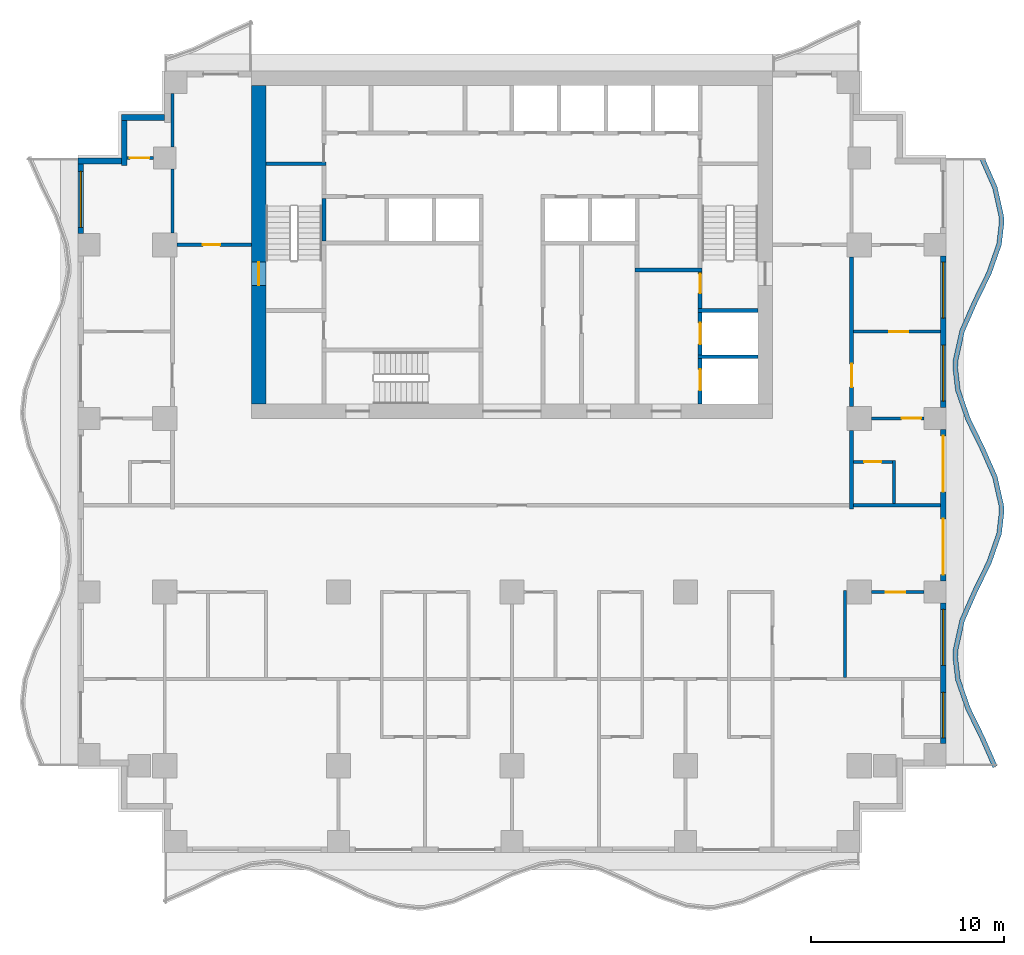
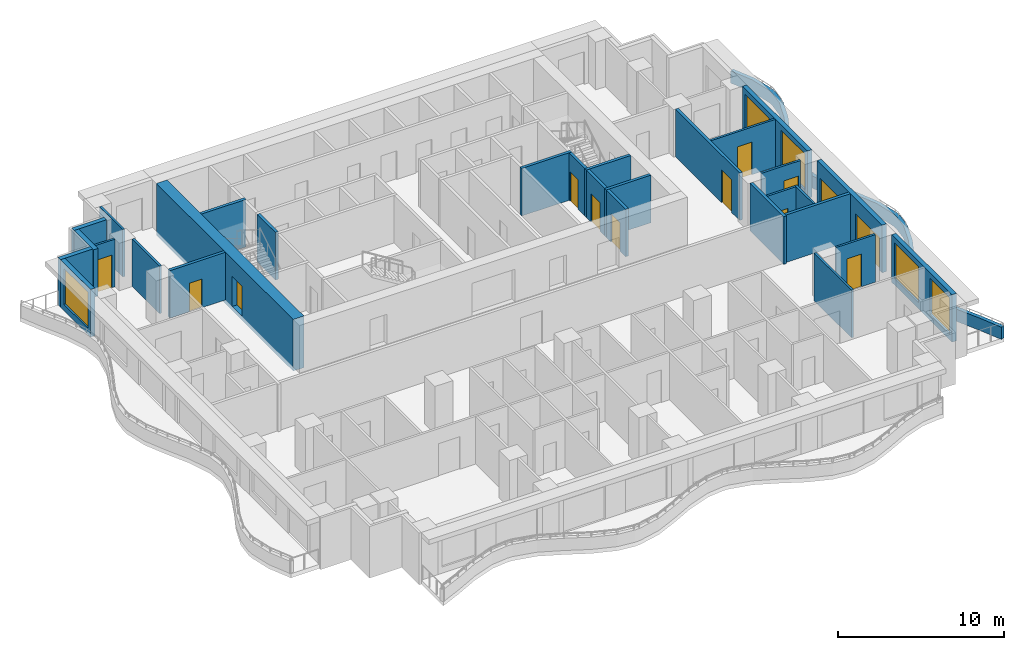
# One storey, part 4 of 10: 30 walls, 13 doors, 5 windows, 18 openings.
"""IFC4 building model written with IfcOpenShell, lengths in metres."""

from ifc_helpers import new_model, si_unit, direction, frame, frame_2d, origin, place, context, subcontext, project, spatial, polyline, rectangle, outline, extrude, material, layer, layer_set, type_object, element, fill, save


model = new_model("IFC4")

# Units and contexts
model_context = context("Model", 3, precision=1e-05, world=origin(), true_north=direction((0.0, 1.0)))
body_context = subcontext(model_context, "Body", "Model", "MODEL_VIEW")
ifc_project = project(units=[si_unit("LENGTHUNIT", "METRE"), si_unit("AREAUNIT", "SQUARE_METRE"), si_unit("VOLUMEUNIT", "CUBIC_METRE"), si_unit("PLANEANGLEUNIT", "RADIAN"), si_unit("MASSUNIT", "GRAM", prefix="KILO")], contexts=[model_context])

# Site, building, storey
site_placement = place(None, origin())
site = spatial("IfcSite", under=ifc_project, at=site_placement, CompositionType="ELEMENT")
building_placement = place(site_placement, origin())
building = spatial("IfcBuilding", under=site, at=building_placement, Name="Orbiselva Terraces", CompositionType="ELEMENT")
storey_placement = place(building_placement, frame((0.0, 0.0, 155.4)))
storey = spatial("IfcBuildingStorey", under=building, at=storey_placement, Name="L39", CompositionType="ELEMENT", Elevation=155.4)

# Wall, opening, door
ifc_material_1 = material(Name="Concrete C80/95", Category="concrete")
ifc_layer_1 = layer(ifc_material_1, 0.75)
ifc_layer_set_1 = layer_set([ifc_layer_1], Name="Concrete C80/95")
wall_type_1 = type_object("IfcWallType", Name="CORE WALL 750", PredefinedType="SHEAR", material=ifc_layer_set_1)
wall_1_placement = place(storey_placement, frame((-13.125, 21.75, -0.3), z_axis=(0.0, 0.0, 1.0), x_axis=(0.0, -1.0, 0.0)))
wall_1 = element("IfcWall", 1, at=wall_1_placement, inside=storey, type_object=wall_type_1, Name="Core wall L39 west", PredefinedType="SHEAR", context=body_context, shape_type="SweptSolid", body=[
    extrude(rectangle(XDim=16.5, YDim=0.75, at=frame_2d((8.25, 0.0))), origin(), (0.0, 0.0, 1.0), 3.8),
])
opening_1_placement = place(wall_1_placement, frame((9.15, 0.0, 0.3)))
opening_1 = element("IfcOpeningElement", 2, at=opening_1_placement, cuts=wall_1, Name="Opening DS1200", PredefinedType="OPENING", context=body_context, shape_type="SweptSolid", body=[
    extrude(rectangle(XDim=1.2, YDim=2.2, at=frame_2d((0.6, 1.1))), frame((0.0, 0.385, 0.0), z_axis=(0.0, -1.0, 0.0), x_axis=(1.0, 0.0, 0.0)), (0.0, 0.0, 1.0), 0.77),
])
ifc_material_2 = material(Name="Steel fire door", Category="steel")
door_type_1 = type_object("IfcDoorType", Name="STAIR DOOR 1200", OperationType="NOTDEFINED", PredefinedType="DOOR", material=ifc_material_2)
door_1_placement = place(opening_1_placement, frame((1.2, 0.0, 0.0), z_axis=(0.0, 0.0, 1.0), x_axis=(-1.0, 0.0, 0.0)))
door_1 = element("IfcDoor", 3, at=door_1_placement, inside=storey, type_object=door_type_1, Name="L39 EXIT STAIR S1 door", OperationType="SINGLE_SWING_RIGHT", OverallHeight=2.2, OverallWidth=1.2, PredefinedType="DOOR", context=body_context, shape_type="SweptSolid", body=[
    extrude(rectangle(XDim=1.2, YDim=2.2, at=frame_2d((0.6, 1.1))), frame((0.0, 0.025, 0.0), z_axis=(0.0, -1.0, 0.0), x_axis=(1.0, 0.0, 0.0)), (0.0, 0.0, 1.0), 0.05),
])
fill(opening_1, door_1)

# Walls
ifc_material_3 = material(Name="Concrete C60/75", Category="concrete")
ifc_layer_2 = layer(ifc_material_3, 0.2)
ifc_layer_set_2 = layer_set([ifc_layer_2], Name="Concrete C60/75")
wall_type_2 = type_object("IfcWallType", Name="CORE-WALL-SHEAR-200", PredefinedType="SHEAR", material=ifc_layer_set_2)
wall_2_placement = place(storey_placement, frame((-12.75, 17.7, 0.0), z_axis=(0.0, 0.0, 1.0), x_axis=(1.0, 0.0, 0.0)))
element("IfcWall", 4, at=wall_2_placement, inside=storey, type_object=wall_type_2, Name="L39 core wall 02", PredefinedType="SHEAR", context=body_context, shape_type="SweptSolid", body=[
    extrude(rectangle(XDim=3.1, YDim=0.2, at=frame_2d((1.55, 0.0))), origin(), (0.0, 0.0, 1.0), 3.5),
])
wall_3_placement = place(storey_placement, frame((-9.75, 13.7, 0.0), z_axis=(0.0, 0.0, 1.0), x_axis=(0.0, 1.0, 0.0)))
element("IfcWall", 5, at=wall_3_placement, inside=storey, type_object=wall_type_2, Name="L39 core wall 08", PredefinedType="SHEAR", context=body_context, shape_type="SweptSolid", body=[
    extrude(rectangle(XDim=2.2, YDim=0.2, at=frame_2d((1.1, 0.0))), origin(), (0.0, 0.0, 1.0), 3.5),
])
wall_4_placement = place(storey_placement, frame((6.375, 12.2, 0.0), z_axis=(0.0, 0.0, 1.0), x_axis=(1.0, 0.0, 0.0)))
element("IfcWall", 6, at=wall_4_placement, inside=storey, type_object=wall_type_2, Name="L39 core wall 31", PredefinedType="SHEAR", context=body_context, shape_type="SweptSolid", body=[
    extrude(rectangle(XDim=3.475, YDim=0.2, at=frame_2d((1.7375, 0.0))), origin(), (0.0, 0.0, 1.0), 3.5),
])

# Wall, opening, door
wall_5_placement = place(storey_placement, frame((9.75, 5.25, 0.0), z_axis=(0.0, 0.0, 1.0), x_axis=(0.0, 1.0, 0.0)))
wall_5 = element("IfcWall", 7, at=wall_5_placement, inside=storey, type_object=wall_type_2, Name="L39 core wall 35", PredefinedType="SHEAR", context=body_context, shape_type="SweptSolid", body=[
    extrude(rectangle(XDim=2.35, YDim=0.2, at=frame_2d((1.175, 0.0))), origin(), (0.0, 0.0, 1.0), 3.5),
])
opening_2_placement = place(wall_5_placement, frame((0.7, 0.0, 0.0)))
opening_2 = element("IfcOpeningElement", 8, at=opening_2_placement, cuts=wall_5, Name="Opening LD-FF1", PredefinedType="OPENING", context=body_context, shape_type="SweptSolid", body=[
    extrude(rectangle(XDim=1.1, YDim=2.1, at=frame_2d((0.55, 1.05))), frame((0.0, 0.11, 0.0), z_axis=(0.0, -1.0, 0.0), x_axis=(1.0, 0.0, 0.0)), (0.0, 0.0, 1.0), 0.22),
])
ifc_material_4 = material(Name="Stainless steel landing door", Category="steel")
door_type_2 = type_object("IfcDoorType", Name="LANDING DOOR 1100", OperationType="SLIDING_TO_LEFT", PredefinedType="DOOR", material=ifc_material_4)
door_2_placement = place(opening_2_placement, origin())
door_2 = element("IfcDoor", 9, at=door_2_placement, inside=storey, type_object=door_type_2, Name="L39 landing door FF1", OperationType="SLIDING_TO_RIGHT", OverallHeight=2.1, OverallWidth=1.1, PredefinedType="DOOR", context=body_context, shape_type="SweptSolid", body=[
    extrude(rectangle(XDim=1.1, YDim=2.1, at=frame_2d((0.55, 1.05))), frame((0.0, 0.025, 0.0), z_axis=(0.0, -1.0, 0.0), x_axis=(1.0, 0.0, 0.0)), (0.0, 0.0, 1.0), 0.05),
])
fill(opening_2, door_2)

# Wall
wall_6_placement = place(storey_placement, frame((9.65, 7.7, 0.0), z_axis=(0.0, 0.0, 1.0), x_axis=(1.0, 0.0, 0.0)))
element("IfcWall", 10, at=wall_6_placement, inside=storey, type_object=wall_type_2, Name="L39 core wall 36", PredefinedType="SHEAR", context=body_context, shape_type="SweptSolid", body=[
    extrude(rectangle(XDim=3.1, YDim=0.2, at=frame_2d((1.55, 0.0))), origin(), (0.0, 0.0, 1.0), 3.5),
])

# Wall, opening, door
wall_7_placement = place(storey_placement, frame((9.75, 7.8, 0.0), z_axis=(0.0, 0.0, 1.0), x_axis=(0.0, 1.0, 0.0)))
wall_7 = element("IfcWall", 11, at=wall_7_placement, inside=storey, type_object=wall_type_2, Name="L39 core wall 37", PredefinedType="SHEAR", context=body_context, shape_type="SweptSolid", body=[
    extrude(rectangle(XDim=2.2, YDim=0.2, at=frame_2d((1.1, 0.0))), origin(), (0.0, 0.0, 1.0), 3.5),
])
opening_3_placement = place(wall_7_placement, frame((0.55, 0.0, 0.0)))
opening_3 = element("IfcOpeningElement", 12, at=opening_3_placement, cuts=wall_7, Name="Opening LD-FF2", PredefinedType="OPENING", context=body_context, shape_type="SweptSolid", body=[
    extrude(rectangle(XDim=1.1, YDim=2.1, at=frame_2d((0.55, 1.05))), frame((0.0, 0.11, 0.0), z_axis=(0.0, -1.0, 0.0), x_axis=(1.0, 0.0, 0.0)), (0.0, 0.0, 1.0), 0.22),
])
door_3_placement = place(opening_3_placement, origin())
door_3 = element("IfcDoor", 13, at=door_3_placement, inside=storey, type_object=door_type_2, Name="L39 landing door FF2", OperationType="SLIDING_TO_RIGHT", OverallHeight=2.1, OverallWidth=1.1, PredefinedType="DOOR", context=body_context, shape_type="SweptSolid", body=[
    extrude(rectangle(XDim=1.1, YDim=2.1, at=frame_2d((0.55, 1.05))), frame((0.0, 0.025, 0.0), z_axis=(0.0, -1.0, 0.0), x_axis=(1.0, 0.0, 0.0)), (0.0, 0.0, 1.0), 0.05),
])
fill(opening_3, door_3)

# Wall
wall_8_placement = place(storey_placement, frame((9.65, 10.1, 0.0), z_axis=(0.0, 0.0, 1.0), x_axis=(1.0, 0.0, 0.0)))
element("IfcWall", 14, at=wall_8_placement, inside=storey, type_object=wall_type_2, Name="L39 core wall 38", PredefinedType="SHEAR", context=body_context, shape_type="SweptSolid", body=[
    extrude(rectangle(XDim=3.1, YDim=0.2, at=frame_2d((1.55, 0.0))), origin(), (0.0, 0.0, 1.0), 3.5),
])

# Wall, opening, door
wall_9_placement = place(storey_placement, frame((9.75, 12.1, 0.0), z_axis=(0.0, 0.0, 1.0), x_axis=(0.0, -1.0, 0.0)))
wall_9 = element("IfcWall", 15, at=wall_9_placement, inside=storey, type_object=wall_type_2, Name="L39 core wall 39", PredefinedType="SHEAR", context=body_context, shape_type="SweptSolid", body=[
    extrude(rectangle(XDim=1.9, YDim=0.2, at=frame_2d((0.95, 0.0))), origin(), (0.0, 0.0, 1.0), 3.5),
])
opening_4_placement = place(wall_9_placement, frame((0.1, 0.0, 0.0)))
opening_4 = element("IfcOpeningElement", 16, at=opening_4_placement, cuts=wall_9, Name="Opening DS1000", PredefinedType="OPENING", context=body_context, shape_type="SweptSolid", body=[
    extrude(rectangle(XDim=1.0, YDim=2.2, at=frame_2d((0.5, 1.1))), frame((0.0, 0.11, 0.0), z_axis=(0.0, -1.0, 0.0), x_axis=(1.0, 0.0, 0.0)), (0.0, 0.0, 1.0), 0.22),
])
door_type_3 = type_object("IfcDoorType", Name="STAIR DOOR 1000", OperationType="NOTDEFINED", PredefinedType="DOOR", material=ifc_material_2)
door_4_placement = place(opening_4_placement, origin())
door_4 = element("IfcDoor", 17, at=door_4_placement, inside=storey, type_object=door_type_3, Name="L39 FIRE-FIGHTING LOBBY TO EXIT STAIR S2 door", OperationType="SINGLE_SWING_LEFT", OverallHeight=2.2, OverallWidth=1.0, PredefinedType="DOOR", context=body_context, shape_type="SweptSolid", body=[
    extrude(rectangle(XDim=1.0, YDim=2.2, at=frame_2d((0.5, 1.1))), frame((0.0, 0.025, 0.0), z_axis=(0.0, -1.0, 0.0), x_axis=(1.0, 0.0, 0.0)), (0.0, 0.0, 1.0), 0.05),
])
fill(opening_4, door_4)

# Wall
ifc_material_5 = material(Name="Concrete C40/50", Category="concrete")
ifc_layer_3 = layer(ifc_material_5, 0.25)
ifc_layer_set_3 = layer_set([ifc_layer_3], Name="Concrete C40/50")
wall_type_3 = type_object("IfcWallType", Name="ENV-PLANTER-250x900", PredefinedType="USERDEFINED", material=ifc_layer_set_3)
wall_10_placement = place(storey_placement, origin())
element("IfcWall", 18, at=wall_10_placement, inside=storey, type_object=wall_type_3, Name="Balcony planter L39 E", ObjectType="PLANTER", PredefinedType="USERDEFINED", context=body_context, shape_type="SweptSolid", body=[
    extrude(outline(polyline([(25.148528, -13.5), (24.487721, -12.0), (23.755211, -10.5), (23.230792, -9.0), (23.1, -7.875), (23.114774, -7.5), (23.451472, -6.0), (24.112279, -4.5), (24.844789, -3.0), (25.369208, -1.5), (25.5, -0.375), (25.485226, 0.0), (25.148528, 1.5), (24.487721, 3.0), (23.755211, 4.5), (23.230792, 6.0), (23.1, 7.125), (23.114774, 7.5), (23.451472, 9.0), (24.112279, 10.5), (24.844789, 12.0), (25.369208, 13.5), (25.5, 14.625), (25.485226, 15.0), (25.148528, 16.5), (24.487721, 18.0), (24.258938, 17.899212), (24.90993, 16.421492), (25.236315, 14.967435), (25.249429, 14.634572), (25.124078, 13.556371), (24.613667, 12.09644), (23.885477, 10.605286), (23.212874, 9.078508), (22.865863, 7.532565), (22.849429, 7.115428), (22.985662, 5.943629), (23.524089, 4.40356), (24.260919, 2.894714), (24.90993, 1.421492), (25.236315, -0.032565), (25.249429, -0.365428), (25.124078, -1.443629), (24.613667, -2.90356), (23.885477, -4.394714), (23.212874, -5.921492), (22.865863, -7.467435), (22.849429, -7.884572), (22.985662, -9.056371), (23.524089, -10.59644), (24.260919, -12.105286), (24.919745, -13.600788), (25.148528, -13.5)])), origin(), (0.0, 0.0, 1.0), 0.9),
])

# Wall, openings, windows
ifc_material_6 = material(Name="Terracotta cladding on masonry backing", Category="masonry")
ifc_layer_4 = layer(ifc_material_6, 0.3)
ifc_layer_set_4 = layer_set([ifc_layer_4], Name="Terracotta cladding on masonry backing")
wall_type_4 = type_object("IfcWallType", Name="ENV-WALL-TERRACOTTA-300", PredefinedType="SOLIDWALL", material=ifc_layer_set_4)
wall_11_placement = place(storey_placement, frame((22.35, -5.075, 0.0), z_axis=(0.0, 0.0, 1.0), x_axis=(0.0, -1.0, 0.0)))
wall_11 = element("IfcWall", 19, at=wall_11_placement, inside=storey, type_object=wall_type_4, Name="Facade wall L39 E", PredefinedType="SOLIDWALL", context=body_context, shape_type="SweptSolid", body=[
    extrude(rectangle(XDim=7.275, YDim=0.3, at=frame_2d((3.6375, 0.0))), origin(), (0.0, 0.0, 1.0), 3.5),
])
opening_5_placement = place(wall_11_placement, frame((4.625, 0.0, 0.45)))
opening_5 = element("IfcOpeningElement", 20, at=opening_5_placement, cuts=wall_11, Name="Opening WN10", PredefinedType="OPENING", context=body_context, shape_type="SweptSolid", body=[
    extrude(rectangle(XDim=2.35, YDim=2.65, at=frame_2d((1.175, 1.325))), frame((0.0, 0.16, 0.0), z_axis=(0.0, -1.0, 0.0), x_axis=(1.0, 0.0, 0.0)), (0.0, 0.0, 1.0), 0.32),
])
opening_6_placement = place(wall_11_placement, frame((0.325, 0.0, 0.45)))
opening_6 = element("IfcOpeningElement", 21, at=opening_6_placement, cuts=wall_11, Name="Opening WN8", PredefinedType="OPENING", context=body_context, shape_type="SweptSolid", body=[
    extrude(rectangle(XDim=2.9, YDim=2.65, at=frame_2d((1.45, 1.325))), frame((0.0, 0.16, 0.0), z_axis=(0.0, -1.0, 0.0), x_axis=(1.0, 0.0, 0.0)), (0.0, 0.0, 1.0), 0.32),
])
ifc_material_7 = material(Name="Clear low-e glazing in aluminium frame", Category="aluminium")
window_type_1 = type_object("IfcWindowType", Name="WINDOW 2350 X 2650 S450", PartitioningType="TRIPLE_PANEL_VERTICAL", PredefinedType="WINDOW", material=ifc_material_7)
window_1_placement = place(opening_5_placement, origin())
window_1 = element("IfcWindow", 22, at=window_1_placement, inside=storey, type_object=window_type_1, Name="Window L39 E", OverallHeight=2.65, OverallWidth=2.35, PartitioningType="SINGLE_PANEL", PredefinedType="WINDOW", context=body_context, shape_type="SweptSolid", body=[
    extrude(rectangle(XDim=2.35, YDim=2.65, at=frame_2d((1.175, 1.325))), frame((0.0, 0.03, 0.0), z_axis=(0.0, -1.0, 0.0), x_axis=(1.0, 0.0, 0.0)), (0.0, 0.0, 1.0), 0.06),
])
fill(opening_5, window_1)
window_type_2 = type_object("IfcWindowType", Name="WINDOW 2900 X 2650 S450", PartitioningType="TRIPLE_PANEL_VERTICAL", PredefinedType="WINDOW", material=ifc_material_7)
window_2_placement = place(opening_6_placement, origin())
window_2 = element("IfcWindow", 23, at=window_2_placement, inside=storey, type_object=window_type_2, Name="Window L39 E", OverallHeight=2.65, OverallWidth=2.9, PartitioningType="SINGLE_PANEL", PredefinedType="WINDOW", context=body_context, shape_type="SweptSolid", body=[
    extrude(rectangle(XDim=2.9, YDim=2.65, at=frame_2d((1.45, 1.325))), frame((0.0, 0.03, 0.0), z_axis=(0.0, -1.0, 0.0), x_axis=(1.0, 0.0, 0.0)), (0.0, 0.0, 1.0), 0.06),
])
fill(opening_6, window_2)

# Wall, openings, doors
wall_12_placement = place(storey_placement, frame((22.35, 3.925, 0.0), z_axis=(0.0, 0.0, 1.0), x_axis=(0.0, -1.0, 0.0)))
wall_12 = element("IfcWall", 24, at=wall_12_placement, inside=storey, type_object=wall_type_4, Name="Facade wall L39 E", PredefinedType="SOLIDWALL", context=body_context, shape_type="SweptSolid", body=[
    extrude(rectangle(XDim=7.85, YDim=0.3, at=frame_2d((3.925, 0.0))), origin(), (0.0, 0.0, 1.0), 3.5),
])
opening_7_placement = place(wall_12_placement, frame((4.625, 0.0, 0.0)))
opening_7 = element("IfcOpeningElement", 25, at=opening_7_placement, cuts=wall_12, Name="Opening Z3-C-E14", PredefinedType="OPENING", context=body_context, shape_type="SweptSolid", body=[
    extrude(rectangle(XDim=2.9, YDim=2.4, at=frame_2d((1.45, 1.2))), frame((0.0, 0.16, 0.0), z_axis=(0.0, -1.0, 0.0), x_axis=(1.0, 0.0, 0.0)), (0.0, 0.0, 1.0), 0.32),
])
opening_8_placement = place(wall_12_placement, frame((0.325, 0.0, 0.0)))
opening_8 = element("IfcOpeningElement", 26, at=opening_8_placement, cuts=wall_12, Name="Opening Z3-C-E06", PredefinedType="OPENING", context=body_context, shape_type="SweptSolid", body=[
    extrude(rectangle(XDim=2.9, YDim=2.4, at=frame_2d((1.45, 1.2))), frame((0.0, 0.16, 0.0), z_axis=(0.0, -1.0, 0.0), x_axis=(1.0, 0.0, 0.0)), (0.0, 0.0, 1.0), 0.32),
])
door_type_4 = type_object("IfcDoorType", Name="BALCONY DOOR 2900 X 2400", OperationType="DOUBLE_DOOR_SLIDING", PredefinedType="DOOR", material=ifc_material_7)
door_5_placement = place(opening_7_placement, origin())
door_5 = element("IfcDoor", 27, at=door_5_placement, inside=storey, type_object=door_type_4, Name="Z3-C-E14", OperationType="SINGLE_SWING_LEFT", OverallHeight=2.4, OverallWidth=2.9, PredefinedType="DOOR", context=body_context, shape_type="SweptSolid", body=[
    extrude(rectangle(XDim=2.9, YDim=2.4, at=frame_2d((1.45, 1.2))), frame((0.0, 0.025, 0.0), z_axis=(0.0, -1.0, 0.0), x_axis=(1.0, 0.0, 0.0)), (0.0, 0.0, 1.0), 0.05),
])
fill(opening_7, door_5)
door_6_placement = place(opening_8_placement, origin())
door_6 = element("IfcDoor", 28, at=door_6_placement, inside=storey, type_object=door_type_4, Name="Z3-C-E06", OperationType="SINGLE_SWING_LEFT", OverallHeight=2.4, OverallWidth=2.9, PredefinedType="DOOR", context=body_context, shape_type="SweptSolid", body=[
    extrude(rectangle(XDim=2.9, YDim=2.4, at=frame_2d((1.45, 1.2))), frame((0.0, 0.025, 0.0), z_axis=(0.0, -1.0, 0.0), x_axis=(1.0, 0.0, 0.0)), (0.0, 0.0, 1.0), 0.05),
])
fill(opening_8, door_6)

# Wall, openings, windows
wall_13_placement = place(storey_placement, frame((22.35, 12.925, 0.0), z_axis=(0.0, 0.0, 1.0), x_axis=(0.0, -1.0, 0.0)))
wall_13 = element("IfcWall", 29, at=wall_13_placement, inside=storey, type_object=wall_type_4, Name="Facade wall L39 E", PredefinedType="SOLIDWALL", context=body_context, shape_type="SweptSolid", body=[
    extrude(rectangle(XDim=7.85, YDim=0.3, at=frame_2d((3.925, 0.0))), origin(), (0.0, 0.0, 1.0), 3.5),
])
opening_9_placement = place(wall_13_placement, frame((4.625, 0.0, 0.45)))
opening_9 = element("IfcOpeningElement", 30, at=opening_9_placement, cuts=wall_13, Name="Opening WN8", PredefinedType="OPENING", context=body_context, shape_type="SweptSolid", body=[
    extrude(rectangle(XDim=2.9, YDim=2.65, at=frame_2d((1.45, 1.325))), frame((0.0, 0.16, 0.0), z_axis=(0.0, -1.0, 0.0), x_axis=(1.0, 0.0, 0.0)), (0.0, 0.0, 1.0), 0.32),
])
opening_10_placement = place(wall_13_placement, frame((0.325, 0.0, 0.45)))
opening_10 = element("IfcOpeningElement", 31, at=opening_10_placement, cuts=wall_13, Name="Opening WN8", PredefinedType="OPENING", context=body_context, shape_type="SweptSolid", body=[
    extrude(rectangle(XDim=2.9, YDim=2.65, at=frame_2d((1.45, 1.325))), frame((0.0, 0.16, 0.0), z_axis=(0.0, -1.0, 0.0), x_axis=(1.0, 0.0, 0.0)), (0.0, 0.0, 1.0), 0.32),
])
window_3_placement = place(opening_9_placement, origin())
window_3 = element("IfcWindow", 32, at=window_3_placement, inside=storey, type_object=window_type_2, Name="Window L39 E", OverallHeight=2.65, OverallWidth=2.9, PartitioningType="SINGLE_PANEL", PredefinedType="WINDOW", context=body_context, shape_type="SweptSolid", body=[
    extrude(rectangle(XDim=2.9, YDim=2.65, at=frame_2d((1.45, 1.325))), frame((0.0, 0.03, 0.0), z_axis=(0.0, -1.0, 0.0), x_axis=(1.0, 0.0, 0.0)), (0.0, 0.0, 1.0), 0.06),
])
fill(opening_9, window_3)
window_4_placement = place(opening_10_placement, origin())
window_4 = element("IfcWindow", 33, at=window_4_placement, inside=storey, type_object=window_type_2, Name="Window L39 E", OverallHeight=2.65, OverallWidth=2.9, PartitioningType="SINGLE_PANEL", PredefinedType="WINDOW", context=body_context, shape_type="SweptSolid", body=[
    extrude(rectangle(XDim=2.9, YDim=2.65, at=frame_2d((1.45, 1.325))), frame((0.0, 0.03, 0.0), z_axis=(0.0, -1.0, 0.0), x_axis=(1.0, 0.0, 0.0)), (0.0, 0.0, 1.0), 0.06),
])
fill(opening_10, window_4)

# Walls
wall_14_placement = place(storey_placement, frame((-20.25, 20.1, 0.0), z_axis=(0.0, 0.0, 1.0), x_axis=(1.0, 0.0, 0.0)))
element("IfcWall", 34, at=wall_14_placement, inside=storey, type_object=wall_type_4, Name="Facade wall L39 STEP", PredefinedType="SOLIDWALL", context=body_context, shape_type="SweptSolid", body=[
    extrude(rectangle(XDim=2.25, YDim=0.3, at=frame_2d((1.125, 0.0))), origin(), (0.0, 0.0, 1.0), 3.5),
])
wall_15_placement = place(storey_placement, frame((-20.1, 17.6, 0.0), z_axis=(0.0, 0.0, 1.0), x_axis=(0.0, 1.0, 0.0)))
element("IfcWall", 35, at=wall_15_placement, inside=storey, type_object=wall_type_4, Name="Facade wall L39 STEP", PredefinedType="SOLIDWALL", context=body_context, shape_type="SweptSolid", body=[
    extrude(rectangle(XDim=2.35, YDim=0.3, at=frame_2d((1.175, 0.0))), origin(), (0.0, 0.0, 1.0), 3.5),
])
wall_16_placement = place(storey_placement, frame((-22.5, 17.85, 0.0), z_axis=(0.0, 0.0, 1.0), x_axis=(1.0, 0.0, 0.0)))
element("IfcWall", 36, at=wall_16_placement, inside=storey, type_object=wall_type_4, Name="Facade wall L39 STEP", PredefinedType="SOLIDWALL", context=body_context, shape_type="SweptSolid", body=[
    extrude(rectangle(XDim=2.25, YDim=0.3, at=frame_2d((1.125, 0.0))), origin(), (0.0, 0.0, 1.0), 3.5),
])

# Wall, opening, window
wall_17_placement = place(storey_placement, frame((-22.35, 14.075, 0.0), z_axis=(0.0, 0.0, 1.0), x_axis=(0.0, 1.0, 0.0)))
wall_17 = element("IfcWall", 37, at=wall_17_placement, inside=storey, type_object=wall_type_4, Name="Facade wall L39 W", PredefinedType="SOLIDWALL", context=body_context, shape_type="SweptSolid", body=[
    extrude(rectangle(XDim=3.625, YDim=0.3, at=frame_2d((1.8125, 0.0))), origin(), (0.0, 0.0, 1.0), 3.5),
])
opening_11_placement = place(wall_17_placement, frame((0.325, 0.0, 0.45)))
opening_11 = element("IfcOpeningElement", 38, at=opening_11_placement, cuts=wall_17, Name="Opening WN8", PredefinedType="OPENING", context=body_context, shape_type="SweptSolid", body=[
    extrude(rectangle(XDim=2.9, YDim=2.65, at=frame_2d((1.45, 1.325))), frame((0.0, 0.16, 0.0), z_axis=(0.0, -1.0, 0.0), x_axis=(1.0, 0.0, 0.0)), (0.0, 0.0, 1.0), 0.32),
])
window_5_placement = place(opening_11_placement, origin())
window_5 = element("IfcWindow", 39, at=window_5_placement, inside=storey, type_object=window_type_2, Name="Window L39 W", OverallHeight=2.65, OverallWidth=2.9, PartitioningType="SINGLE_PANEL", PredefinedType="WINDOW", context=body_context, shape_type="SweptSolid", body=[
    extrude(rectangle(XDim=2.9, YDim=2.65, at=frame_2d((1.45, 1.325))), frame((0.0, 0.03, 0.0), z_axis=(0.0, -1.0, 0.0), x_axis=(1.0, 0.0, 0.0)), (0.0, 0.0, 1.0), 0.06),
])
fill(opening_11, window_5)

# Wall, opening, door
ifc_material_8 = material(Name="Plasterboard on steel stud partition", Category="steel")
ifc_layer_5 = layer(ifc_material_8, 0.2)
ifc_layer_set_5 = layer_set([ifc_layer_5], Name="Plasterboard on steel stud partition")
wall_type_5 = type_object("IfcWallType", Name="UNIT-ENTRANCE-WALL-200", PredefinedType="PARTITIONING", material=ifc_layer_set_5)
wall_18_placement = place(storey_placement, frame((-17.375, 13.5, 0.0), z_axis=(0.0, 0.0, 1.0), x_axis=(1.0, 0.0, 0.0)))
wall_18 = element("IfcWall", 40, at=wall_18_placement, inside=storey, type_object=wall_type_5, Name="PARTITION L39-031", PredefinedType="PARTITIONING", context=body_context, shape_type="SweptSolid", body=[
    extrude(rectangle(XDim=3.875, YDim=0.2, at=frame_2d((1.9375, 0.0))), origin(), (0.0, 0.0, 1.0), 3.5),
])
opening_12_placement = place(wall_18_placement, frame((1.35, 0.0, 0.0)))
opening_12 = element("IfcOpeningElement", 41, at=opening_12_placement, cuts=wall_18, Name="Opening Z3-C-01", PredefinedType="OPENING", context=body_context, shape_type="SweptSolid", body=[
    extrude(rectangle(XDim=0.9, YDim=2.1, at=frame_2d((0.45, 1.05))), frame((0.0, 0.11, 0.0), z_axis=(0.0, -1.0, 0.0), x_axis=(1.0, 0.0, 0.0)), (0.0, 0.0, 1.0), 0.22),
])
ifc_material_9 = material(Name="Painted timber door leaf", Category="wood")
door_type_5 = type_object("IfcDoorType", Name="SERVICE DOOR 900", OperationType="NOTDEFINED", PredefinedType="DOOR", material=ifc_material_9)
door_7_placement = place(opening_12_placement, origin())
door_7 = element("IfcDoor", 42, at=door_7_placement, inside=storey, type_object=door_type_5, Name="Z3-C-01", OperationType="SINGLE_SWING_LEFT", OverallHeight=2.1, OverallWidth=0.9, PredefinedType="DOOR", context=body_context, shape_type="SweptSolid", body=[
    extrude(rectangle(XDim=0.9, YDim=2.1, at=frame_2d((0.45, 1.05))), frame((0.0, 0.025, 0.0), z_axis=(0.0, -1.0, 0.0), x_axis=(1.0, 0.0, 0.0)), (0.0, 0.0, 1.0), 0.05),
])
fill(opening_12, door_7)

# Wall
wall_19_placement = place(storey_placement, frame((17.6, -0.2, 0.0), z_axis=(0.0, 0.0, 1.0), x_axis=(0.0, 1.0, 0.0)))
element("IfcWall", 43, at=wall_19_placement, inside=storey, type_object=wall_type_5, Name="PARTITION L39-059", PredefinedType="PARTITIONING", context=body_context, shape_type="SweptSolid", body=[
    extrude(rectangle(XDim=4.075, YDim=0.2, at=frame_2d((2.0375, 0.0))), origin(), (0.0, 0.0, 1.0), 3.5),
])

# Wall, opening, door
wall_20_placement = place(storey_placement, frame((17.6, 12.875, 0.0), z_axis=(0.0, 0.0, 1.0), x_axis=(0.0, -1.0, 0.0)))
wall_20 = element("IfcWall", 44, at=wall_20_placement, inside=storey, type_object=wall_type_5, Name="PARTITION L39-060", PredefinedType="PARTITIONING", context=body_context, shape_type="SweptSolid", body=[
    extrude(rectangle(XDim=7.75, YDim=0.2, at=frame_2d((3.875, 0.0))), origin(), (0.0, 0.0, 1.0), 3.5),
])
opening_13_placement = place(wall_20_placement, frame((5.55, 0.0, 0.0)))
opening_13 = element("IfcOpeningElement", 45, at=opening_13_placement, cuts=wall_20, Name="Opening Z3-C-10", PredefinedType="OPENING", context=body_context, shape_type="SweptSolid", body=[
    extrude(rectangle(XDim=1.2, YDim=2.4, at=frame_2d((0.6, 1.2))), frame((0.0, 0.11, 0.0), z_axis=(0.0, -1.0, 0.0), x_axis=(1.0, 0.0, 0.0)), (0.0, 0.0, 1.0), 0.22),
])
door_type_6 = type_object("IfcDoorType", Name="ENTRANCE DOOR 1200", OperationType="NOTDEFINED", PredefinedType="DOOR", material=ifc_material_9)
door_8_placement = place(opening_13_placement, origin())
door_8 = element("IfcDoor", 46, at=door_8_placement, inside=storey, type_object=door_type_6, Name="Z3-C-10", OperationType="SINGLE_SWING_RIGHT", OverallHeight=2.4, OverallWidth=1.2, PredefinedType="DOOR", context=body_context, shape_type="SweptSolid", body=[
    extrude(rectangle(XDim=1.2, YDim=2.4, at=frame_2d((0.6, 1.2))), frame((0.0, 0.025, 0.0), z_axis=(0.0, -1.0, 0.0), x_axis=(1.0, 0.0, 0.0)), (0.0, 0.0, 1.0), 0.05),
])
fill(opening_13, door_8)

ifc_layer_6 = layer(ifc_material_8, 0.15)
ifc_layer_set_6 = layer_set([ifc_layer_6], Name="Plasterboard on steel stud partition")
wall_type_6 = type_object("IfcWallType", Name="UNIT-PARTITION-150", PredefinedType="PARTITIONING", material=ifc_layer_set_6)
wall_21_placement = place(storey_placement, frame((21.35, -4.5, 0.0), z_axis=(0.0, 0.0, 1.0), x_axis=(-1.0, 0.0, 0.0)))
wall_21 = element("IfcWall", 47, at=wall_21_placement, inside=storey, type_object=wall_type_6, Name="PARTITION L39-021", PredefinedType="PARTITIONING", context=body_context, shape_type="SweptSolid", body=[
    extrude(rectangle(XDim=2.725, YDim=0.15, at=frame_2d((1.3625, 0.0))), origin(), (0.0, 0.0, 1.0), 3.5),
])
opening_14_placement = place(wall_21_placement, frame((0.975, 0.0, 0.0)))
opening_14 = element("IfcOpeningElement", 48, at=opening_14_placement, cuts=wall_21, Name="Opening Z3-C-14", PredefinedType="OPENING", context=body_context, shape_type="SweptSolid", body=[
    extrude(rectangle(XDim=1.0, YDim=2.4, at=frame_2d((0.5, 1.2))), frame((0.0, 0.085, 0.0), z_axis=(0.0, -1.0, 0.0), x_axis=(1.0, 0.0, 0.0)), (0.0, 0.0, 1.0), 0.17),
])
door_type_7 = type_object("IfcDoorType", Name="ROOM DOOR 1000", OperationType="NOTDEFINED", PredefinedType="DOOR", material=ifc_material_9)
door_9_placement = place(opening_14_placement, origin())
door_9 = element("IfcDoor", 49, at=door_9_placement, inside=storey, type_object=door_type_7, Name="Z3-C-14", OperationType="SINGLE_SWING_RIGHT", OverallHeight=2.4, OverallWidth=1.0, PredefinedType="DOOR", context=body_context, shape_type="SweptSolid", body=[
    extrude(rectangle(XDim=1.0, YDim=2.4, at=frame_2d((0.5, 1.2))), frame((0.0, 0.025, 0.0), z_axis=(0.0, -1.0, 0.0), x_axis=(1.0, 0.0, 0.0)), (0.0, 0.0, 1.0), 0.05),
])
fill(opening_14, door_9)

wall_22_placement = place(storey_placement, frame((19.73, 2.25, 0.0), z_axis=(0.0, 0.0, 1.0), x_axis=(-1.0, 0.0, 0.0)))
wall_22 = element("IfcWall", 50, at=wall_22_placement, inside=storey, type_object=wall_type_6, Name="PARTITION L39-026", PredefinedType="PARTITIONING", context=body_context, shape_type="SweptSolid", body=[
    extrude(rectangle(XDim=2.03, YDim=0.15, at=frame_2d((1.015, 0.0))), origin(), (0.0, 0.0, 1.0), 3.5),
])
opening_15_placement = place(wall_22_placement, frame((0.58, 0.0, 0.0)))
opening_15 = element("IfcOpeningElement", 51, at=opening_15_placement, cuts=wall_22, Name="Opening Z3-C-09", PredefinedType="OPENING", context=body_context, shape_type="SweptSolid", body=[
    extrude(rectangle(XDim=0.9, YDim=2.1, at=frame_2d((0.45, 1.05))), frame((0.0, 0.085, 0.0), z_axis=(0.0, -1.0, 0.0), x_axis=(1.0, 0.0, 0.0)), (0.0, 0.0, 1.0), 0.17),
])
door_type_8 = type_object("IfcDoorType", Name="BATH DOOR 900", OperationType="NOTDEFINED", PredefinedType="DOOR", material=ifc_material_9)
door_10_placement = place(opening_15_placement, origin())
door_10 = element("IfcDoor", 52, at=door_10_placement, inside=storey, type_object=door_type_8, Name="Z3-C-09", OperationType="SINGLE_SWING_RIGHT", OverallHeight=2.1, OverallWidth=0.9, PredefinedType="DOOR", context=body_context, shape_type="SweptSolid", body=[
    extrude(rectangle(XDim=0.9, YDim=2.1, at=frame_2d((0.45, 1.05))), frame((0.0, 0.025, 0.0), z_axis=(0.0, -1.0, 0.0), x_axis=(1.0, 0.0, 0.0)), (0.0, 0.0, 1.0), 0.05),
])
fill(opening_15, door_10)

wall_23_placement = place(storey_placement, frame((21.35, 4.5, 0.0), z_axis=(0.0, 0.0, 1.0), x_axis=(-1.0, 0.0, 0.0)))
wall_23 = element("IfcWall", 53, at=wall_23_placement, inside=storey, type_object=wall_type_6, Name="PARTITION L39-028", PredefinedType="PARTITIONING", context=body_context, shape_type="SweptSolid", body=[
    extrude(rectangle(XDim=2.725, YDim=0.15, at=frame_2d((1.3625, 0.0))), origin(), (0.0, 0.0, 1.0), 3.5),
])
opening_16_placement = place(wall_23_placement, frame((0.15, 0.0, 0.0)))
opening_16 = element("IfcOpeningElement", 54, at=opening_16_placement, cuts=wall_23, Name="Opening Z3-C-08", PredefinedType="OPENING", context=body_context, shape_type="SweptSolid", body=[
    extrude(rectangle(XDim=1.0, YDim=2.4, at=frame_2d((0.5, 1.2))), frame((0.0, 0.085, 0.0), z_axis=(0.0, -1.0, 0.0), x_axis=(1.0, 0.0, 0.0)), (0.0, 0.0, 1.0), 0.17),
])
door_11_placement = place(opening_16_placement, origin())
door_11 = element("IfcDoor", 55, at=door_11_placement, inside=storey, type_object=door_type_7, Name="Z3-C-08", OperationType="SINGLE_SWING_LEFT", OverallHeight=2.4, OverallWidth=1.0, PredefinedType="DOOR", context=body_context, shape_type="SweptSolid", body=[
    extrude(rectangle(XDim=1.0, YDim=2.4, at=frame_2d((0.5, 1.2))), frame((0.0, 0.025, 0.0), z_axis=(0.0, -1.0, 0.0), x_axis=(1.0, 0.0, 0.0)), (0.0, 0.0, 1.0), 0.05),
])
fill(opening_16, door_11)

wall_24_placement = place(storey_placement, frame((17.7, 9.0, 0.0), z_axis=(0.0, 0.0, 1.0), x_axis=(1.0, 0.0, 0.0)))
wall_24 = element("IfcWall", 56, at=wall_24_placement, inside=storey, type_object=wall_type_6, Name="PARTITION L39-030", PredefinedType="PARTITIONING", context=body_context, shape_type="SweptSolid", body=[
    extrude(rectangle(XDim=4.5, YDim=0.15, at=frame_2d((2.25, 0.0))), origin(), (0.0, 0.0, 1.0), 3.5),
])
opening_17_placement = place(wall_24_placement, frame((1.85, 0.0, 0.0)))
opening_17 = element("IfcOpeningElement", 57, at=opening_17_placement, cuts=wall_24, Name="Opening Z3-C-11", PredefinedType="OPENING", context=body_context, shape_type="SweptSolid", body=[
    extrude(rectangle(XDim=1.0, YDim=2.4, at=frame_2d((0.5, 1.2))), frame((0.0, 0.085, 0.0), z_axis=(0.0, -1.0, 0.0), x_axis=(1.0, 0.0, 0.0)), (0.0, 0.0, 1.0), 0.17),
])
door_12_placement = place(opening_17_placement, origin())
door_12 = element("IfcDoor", 58, at=door_12_placement, inside=storey, type_object=door_type_7, Name="Z3-C-11", OperationType="SINGLE_SWING_RIGHT", OverallHeight=2.4, OverallWidth=1.0, PredefinedType="DOOR", context=body_context, shape_type="SweptSolid", body=[
    extrude(rectangle(XDim=1.0, YDim=2.4, at=frame_2d((0.5, 1.2))), frame((0.0, 0.025, 0.0), z_axis=(0.0, -1.0, 0.0), x_axis=(1.0, 0.0, 0.0)), (0.0, 0.0, 1.0), 0.05),
])
fill(opening_17, door_12)

wall_25_placement = place(storey_placement, frame((-19.95, 18.0, 0.0), z_axis=(0.0, 0.0, 1.0), x_axis=(1.0, 0.0, 0.0)))
wall_25 = element("IfcWall", 59, at=wall_25_placement, inside=storey, type_object=wall_type_6, Name="PARTITION L39-034", PredefinedType="PARTITIONING", context=body_context, shape_type="SweptSolid", body=[
    extrude(rectangle(XDim=1.375, YDim=0.15, at=frame_2d((0.6875, 0.0))), origin(), (0.0, 0.0, 1.0), 3.5),
])
opening_18_placement = place(wall_25_placement, frame((0.15, 0.0, 0.0)))
opening_18 = element("IfcOpeningElement", 60, at=opening_18_placement, cuts=wall_25, Name="Opening Z3-C-07", PredefinedType="OPENING", context=body_context, shape_type="SweptSolid", body=[
    extrude(rectangle(XDim=1.0, YDim=2.4, at=frame_2d((0.5, 1.2))), frame((0.0, 0.085, 0.0), z_axis=(0.0, -1.0, 0.0), x_axis=(1.0, 0.0, 0.0)), (0.0, 0.0, 1.0), 0.17),
])
door_13_placement = place(opening_18_placement, origin())
door_13 = element("IfcDoor", 61, at=door_13_placement, inside=storey, type_object=door_type_7, Name="Z3-C-07", OperationType="SINGLE_SWING_LEFT", OverallHeight=2.4, OverallWidth=1.0, PredefinedType="DOOR", context=body_context, shape_type="SweptSolid", body=[
    extrude(rectangle(XDim=1.0, YDim=2.4, at=frame_2d((0.5, 1.2))), frame((0.0, 0.025, 0.0), z_axis=(0.0, -1.0, 0.0), x_axis=(1.0, 0.0, 0.0)), (0.0, 0.0, 1.0), 0.05),
])
fill(opening_18, door_13)

# Walls
wall_26_placement = place(storey_placement, frame((-17.6, 14.125, 0.0), z_axis=(0.0, 0.0, 1.0), x_axis=(0.0, 1.0, 0.0)))
element("IfcWall", 62, at=wall_26_placement, inside=storey, type_object=wall_type_6, Name="PARTITION L39-040", PredefinedType="PARTITIONING", context=body_context, shape_type="SweptSolid", body=[
    extrude(rectangle(XDim=3.3, YDim=0.15, at=frame_2d((1.65, 0.0))), origin(), (0.0, 0.0, 1.0), 3.5),
])
wall_27_placement = place(storey_placement, frame((-17.6, 18.575, 0.0), z_axis=(0.0, 0.0, 1.0), x_axis=(0.0, 1.0, 0.0)))
element("IfcWall", 63, at=wall_27_placement, inside=storey, type_object=wall_type_6, Name="PARTITION L39-041", PredefinedType="PARTITIONING", context=body_context, shape_type="SweptSolid", body=[
    extrude(rectangle(XDim=2.775, YDim=0.15, at=frame_2d((1.3875, 0.0))), origin(), (0.0, 0.0, 1.0), 3.5),
])
wall_28_placement = place(storey_placement, frame((17.25, -8.925, 0.0), z_axis=(0.0, 0.0, 1.0), x_axis=(0.0, 1.0, 0.0)))
element("IfcWall", 64, at=wall_28_placement, inside=storey, type_object=wall_type_6, Name="PARTITION L39-058", PredefinedType="PARTITIONING", context=body_context, shape_type="SweptSolid", body=[
    extrude(rectangle(XDim=4.5, YDim=0.15, at=frame_2d((2.25, 0.0))), origin(), (0.0, 0.0, 1.0), 3.5),
])
wall_29_placement = place(storey_placement, frame((19.805, 0.1, 0.0), z_axis=(0.0, 0.0, 1.0), x_axis=(0.0, 1.0, 0.0)))
element("IfcWall", 65, at=wall_29_placement, inside=storey, type_object=wall_type_6, Name="PARTITION L39-063", PredefinedType="PARTITIONING", context=body_context, shape_type="SweptSolid", body=[
    extrude(rectangle(XDim=2.225, YDim=0.15, at=frame_2d((1.1125, 0.0))), origin(), (0.0, 0.0, 1.0), 3.5),
])
ifc_layer_7 = layer(ifc_material_8, 0.2)
ifc_layer_set_7 = layer_set([ifc_layer_7], Name="Plasterboard on steel stud partition")
wall_type_7 = type_object("IfcWallType", Name="UNIT-PARTY-WALL-200", PredefinedType="PARTITIONING", material=ifc_layer_set_7)
wall_30_placement = place(storey_placement, frame((17.7, 0.0, 0.0), z_axis=(0.0, 0.0, 1.0), x_axis=(1.0, 0.0, 0.0)))
element("IfcWall", 66, at=wall_30_placement, inside=storey, type_object=wall_type_7, Name="PARTITION L39-024", PredefinedType="PARTITIONING", context=body_context, shape_type="SweptSolid", body=[
    extrude(rectangle(XDim=4.5, YDim=0.2, at=frame_2d((2.25, 0.0))), origin(), (0.0, 0.0, 1.0), 3.5),
])

save(model, "model.ifc")
